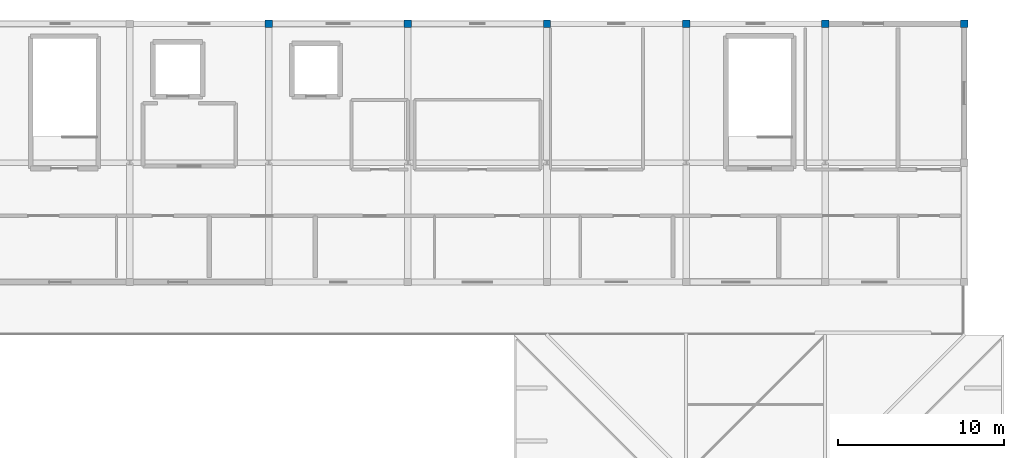
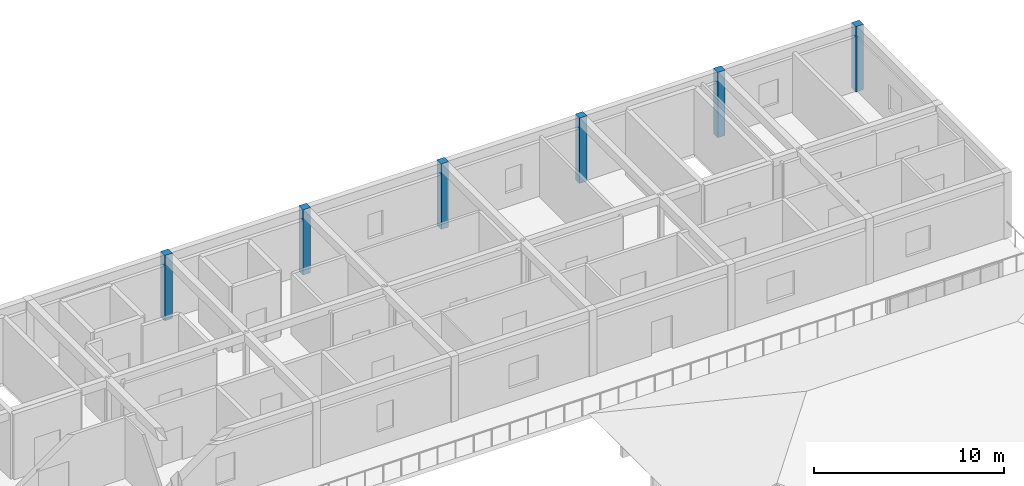
# One storey, part 8 of 22: 6 columns.
"""IFC4 building model written with IfcOpenShell, lengths in metres."""

from ifc_helpers import new_model, si_unit, direction, frame, origin, origin_2d, place, context, subcontext, project, spatial, rectangle, extrude, material, material_profile, profile_set, type_object, element, save


model = new_model("IFC4")

# Units and contexts
model_context = context("Model", 3, precision=1e-05, world=origin(), true_north=direction((0.0, 1.0)))
body_context = subcontext(model_context, "Body", "Model", "MODEL_VIEW")
ifc_project = project(units=[si_unit("LENGTHUNIT", "METRE"), si_unit("AREAUNIT", "SQUARE_METRE"), si_unit("VOLUMEUNIT", "CUBIC_METRE"), si_unit("PLANEANGLEUNIT", "RADIAN"), si_unit("MASSUNIT", "GRAM", prefix="KILO")], contexts=[model_context])

# Site, building, storey
site_placement = place(None, origin())
site = spatial("IfcSite", under=ifc_project, at=site_placement, CompositionType="ELEMENT")
building_placement = place(site_placement, origin())
building = spatial("IfcBuilding", under=site, at=building_placement, Name="Varncliffe General Hospital", CompositionType="ELEMENT")
storey_placement = place(building_placement, frame((0.0, 0.0, 33.0)))
storey = spatial("IfcBuildingStorey", under=building, at=storey_placement, Name="L07", CompositionType="ELEMENT", Elevation=33.0)

# Columns
ifc_material = material(Name="Concrete C40/50 (CSA A23.1 40 MPa)", Category="concrete")
ifc_material_profile = material_profile(ifc_material, rectangle(XDim=0.449951171875, YDim=0.449951171875, at=origin_2d()), Name="RC 450x450")
ifc_profile_set = profile_set([ifc_material_profile], Name="Concrete C40/50 (CSA A23.1 40 MPa)")
column_type = type_object("IfcColumnType", Name="Column C73 (Ext RC 450x450)", PredefinedType="COLUMN", material=ifc_profile_set)
for number, where, z_axis, x_axis, name in (
    (1, (134.39990234375, 124.800048828125, 0.0), (0.0, 0.0, 1.0), (1.0, 0.0, 0.0), "L07 Column C73"),
    (2, (142.800048828125, 124.800048828125, 0.0), (0.0, 0.0, 1.0), (1.0, 0.0, 0.0), "L07 Column C73"),
    (3, (151.199951171875, 124.800048828125, 0.0), (0.0, 0.0, 1.0), (1.0, 0.0, 0.0), "L07 Column C73"),
    (4, (159.60009765625, 124.800048828125, 0.0), (0.0, 0.0, 1.0), (1.0, 0.0, 0.0), "L07 Column C73"),
    (5, (168.0, 124.800048828125, 0.0), (0.0, 0.0, 1.0), (1.0, 0.0, 0.0), "L07 Column C73"),
    (6, (176.39990234375, 124.800048828125, 0.0), (0.0, 0.0, 1.0), (1.0, 0.0, 0.0), "L07 Column C73"),
):
    element("IfcColumn", number, at=place(storey_placement, frame(where, z_axis=z_axis, x_axis=x_axis)), inside=storey, type_object=column_type, Name=name, PredefinedType="COLUMN", context=body_context, shape_type="SweptSolid", body=[
        extrude(rectangle(XDim=0.449951171875, YDim=0.449951171875, at=origin_2d()), origin(), (0.0, 0.0, 1.0), 4.199951171875),
    ])

save(model, "model.ifc")
